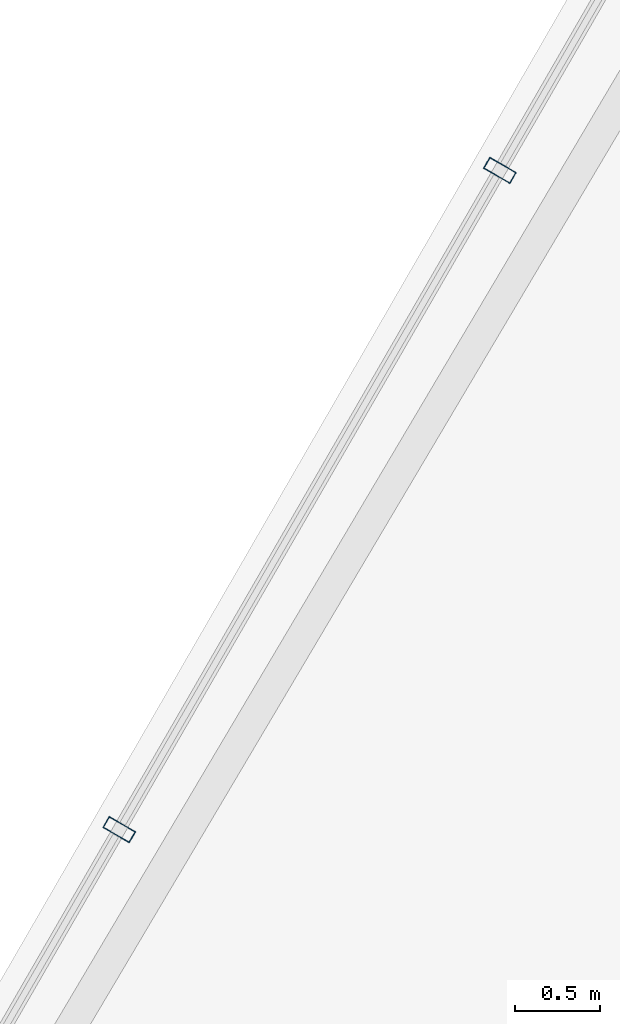
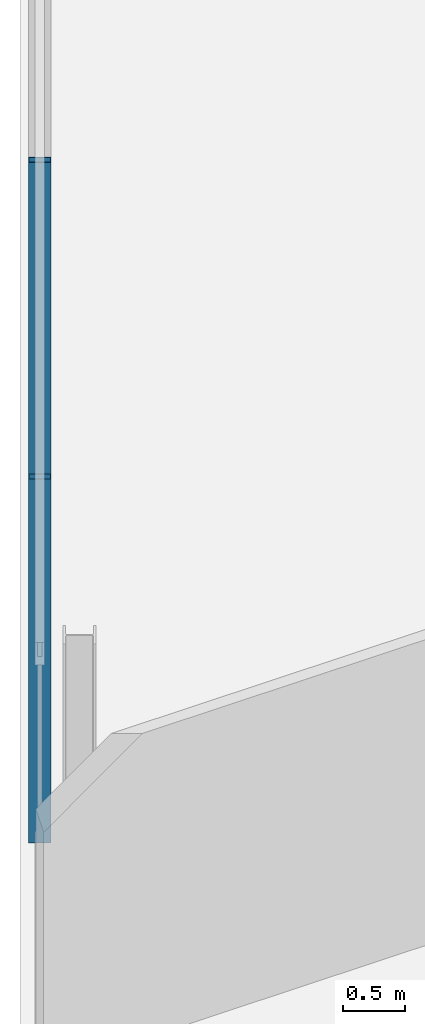
# One storey, part 13 of 32: 2 members, 1 element without a shape of its own.
"""IFC4 building model written with IfcOpenShell, lengths in metres."""

from ifc_helpers import new_model, si_unit, direction, frame, origin, origin_2d, place, context, subcontext, project, spatial, hollow_rectangle, extrude, material, layer, layer_set, material_profile, profile_set, type_object, element, aggregate, save


model = new_model("IFC4")

# Units and contexts
model_context = context("Model", 3, precision=1e-05, world=origin(), true_north=direction((0.0, 1.0)))
body_context = subcontext(model_context, "Body", "Model", "MODEL_VIEW")
ifc_project = project(units=[si_unit("LENGTHUNIT", "METRE"), si_unit("AREAUNIT", "SQUARE_METRE"), si_unit("VOLUMEUNIT", "CUBIC_METRE"), si_unit("PLANEANGLEUNIT", "RADIAN"), si_unit("MASSUNIT", "GRAM", prefix="KILO")], contexts=[model_context])

# Site, building, storey
site_placement = place(None, origin())
site = spatial("IfcSite", under=ifc_project, at=site_placement, CompositionType="ELEMENT")
building_placement = place(site_placement, origin())
building = spatial("IfcBuilding", under=site, at=building_placement, Name="Ndaravel Arena Tower", CompositionType="ELEMENT")
storey_placement = place(building_placement, frame((0.0, 0.0, 287.10009765625)))
storey = spatial("IfcBuildingStorey", under=building, at=storey_placement, Name="L70", CompositionType="ELEMENT", Elevation=287.10009765625)

# Curtain wall, members
ifc_material_1 = material(Name="Aluminium", Category="aluminium")
ifc_layer = layer(ifc_material_1, 0.179931640625)
ifc_layer_set = layer_set([ifc_layer], Name="Aluminium")
curtain_wall_type = type_object("IfcCurtainWallType", Name="CW-SYS-03", PredefinedType="NOTDEFINED", material=ifc_layer_set)
curtain_wall_placement = place(storey_placement, origin())
curtain_wall = element("IfcCurtainWall", 1, at=curtain_wall_placement, inside=storey, type_object=curtain_wall_type, Name="L70 Faceted Crystal Curtain Wall CW-L70-E05", PredefinedType="NOTDEFINED")
ifc_material_2 = material(Name="Aluminium", Category="aluminium")
ifc_material_profile = material_profile(ifc_material_2, hollow_rectangle(XDim=0.074951171875, YDim=0.179931640625, WallThickness=0.00390625, at=origin_2d()), Name="CW MULLION 75x180x4")
ifc_profile_set = profile_set([ifc_material_profile], Name="Aluminium")
member_type = type_object("IfcMemberType", Name="MEM-CW-MUL180", PredefinedType="MULLION", material=ifc_profile_set)
member_1_placement = place(storey_placement, frame((33.04931640625, 32.23046875, 0.0), z_axis=(0.0, 0.0, 1.0), x_axis=(-0.5, -0.866025403784, 0.0)))
member_1 = element("IfcMember", 2, at=member_1_placement, type_object=member_type, Name="CW-L70-E05 Mullion 03", PredefinedType="MULLION", context=body_context, shape_type="SweptSolid", body=[
    extrude(hollow_rectangle(XDim=0.074951171875, YDim=0.179931640625, WallThickness=0.00390625, at=origin_2d()), origin(), (0.0, 0.0, 1.0), 3.579833984375),
])
member_2_placement = place(storey_placement, frame((30.8232421875, 28.374755859375, 0.0), z_axis=(0.0, 0.0, 1.0), x_axis=(-0.5, -0.866025403784, 0.0)))
member_2 = element("IfcMember", 3, at=member_2_placement, type_object=member_type, Name="CW-L70-E05 Mullion 04", PredefinedType="MULLION", context=body_context, shape_type="SweptSolid", body=[
    extrude(hollow_rectangle(XDim=0.074951171875, YDim=0.179931640625, WallThickness=0.00390625, at=origin_2d()), origin(), (0.0, 0.0, 1.0), 3.579833984375),
])
aggregate(curtain_wall, [member_1, member_2])

save(model, "model.ifc")
